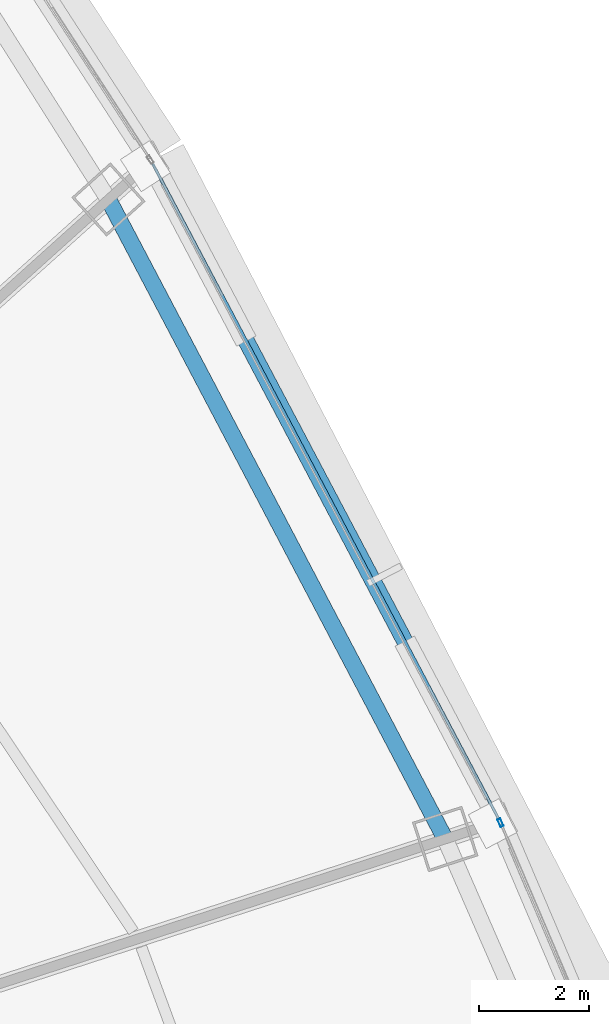
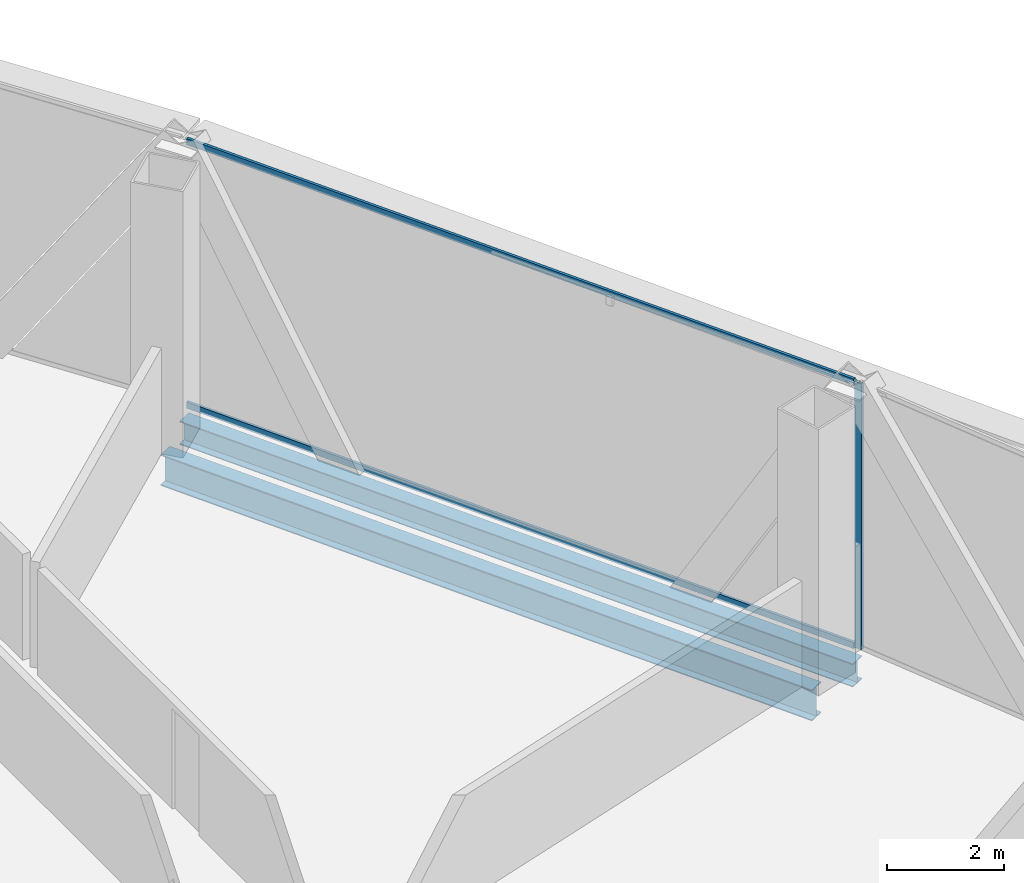
# One storey, part 28 of 40: 3 members, 2 beams, 2 elements without a shape of their own.
"""IFC4 building model written with IfcOpenShell, lengths in metres."""

from ifc_helpers import new_model, si_unit, direction, frame, origin, origin_2d, place, context, subcontext, project, spatial, hollow_rectangle, i_section, extrude, source, transform, mapped, material, layer, layer_set, material_profile, profile_set, type_object, element, aggregate, save


model = new_model("IFC4")

# Units and contexts
model_context = context("Model", 3, precision=1e-05, world=origin(), true_north=direction((0.0, 1.0)))
body_context = subcontext(model_context, "Body", "Model", "MODEL_VIEW")
ifc_project = project(units=[si_unit("LENGTHUNIT", "METRE"), si_unit("AREAUNIT", "SQUARE_METRE"), si_unit("VOLUMEUNIT", "CUBIC_METRE"), si_unit("PLANEANGLEUNIT", "RADIAN"), si_unit("MASSUNIT", "GRAM", prefix="KILO"), si_unit("THERMODYNAMICTEMPERATUREUNIT", "KELVIN"), si_unit("POWERUNIT", "WATT")], contexts=[model_context])

# Site, building, storey
site_placement = place(None, origin())
site = spatial("IfcSite", under=ifc_project, at=site_placement, CompositionType="ELEMENT")
building_placement = place(site_placement, origin())
building = spatial("IfcBuilding", under=site, at=building_placement, Name="Yunzhuo Pagoda Commons", CompositionType="ELEMENT")
storey_placement = place(building_placement, frame((0.0, 0.0, 170.31005859375)))
storey = spatial("IfcBuildingStorey", under=building, at=storey_placement, Name="L43", CompositionType="ELEMENT", Elevation=170.31005859375)

# Beams
ifc_material_1 = material(Name="Structural steel Q355B", Category="steel")
ifc_material_profile_1 = material_profile(ifc_material_1, i_section(OverallWidth=0.300048828125, OverallDepth=0.64990234375, WebThickness=0.012939453125, FlangeThickness=0.02197265625, at=origin_2d()), Name="Structural steel Q355B")
ifc_profile_set_1 = profile_set([ifc_material_profile_1], Name="Structural steel Q355B")
beam_type_1 = type_object("IfcBeamType", Name="B-RG2 Beam HN 650x300x13x22", PredefinedType="BEAM", material=ifc_profile_set_1)
shared_shape_1 = source(origin(), body_context, "Body", "SweptSolid", [
    extrude(i_section(OverallWidth=0.300048828125, OverallDepth=0.64990234375, WebThickness=0.012939453125, FlangeThickness=0.02197265625, at=origin_2d()), origin(), (0.0, 0.0, 1.0), 13.198974609375),
])
beam_1_placement = place(storey_placement, frame((77.915283203125, 43.420166015625, -0.5849609375), z_axis=(-0.465885937554, 0.884844784801, 0.0), x_axis=(-0.884844784801, -0.465885937554, 0.0)))
element("IfcBeam", 1, at=beam_1_placement, inside=storey, type_object=beam_type_1, Name="L43 column-ring beam 6", PredefinedType="BEAM", context=body_context, shape_type="MappedRepresentation", body=[
    mapped(shared_shape_1, transform((0.0, 0.0, 0.0), scale=1.0)),
])
ifc_material_profile_2 = material_profile(ifc_material_1, i_section(OverallWidth=0.300048828125, OverallDepth=0.488037109375, WebThickness=0.010986328125, FlangeThickness=0.01806640625, at=origin_2d()), Name="Structural steel Q355B")
ifc_profile_set_2 = profile_set([ifc_material_profile_2], Name="Structural steel Q355B")
beam_type_2 = type_object("IfcBeamType", Name="B-SP1 Beam HM 488x300x11x18", PredefinedType="BEAM", material=ifc_profile_set_2)
shared_shape_2 = source(origin(), body_context, "Body", "SweptSolid", [
    extrude(i_section(OverallWidth=0.300048828125, OverallDepth=0.488037109375, WebThickness=0.010986328125, FlangeThickness=0.01806640625, at=origin_2d()), origin(), (0.0, 0.0, 1.0), 13.63525390625),
])
beam_2_placement = place(storey_placement, frame((78.913818359375, 43.74462890625, -0.504150390625), z_axis=(-0.466985007002, 0.884265233533, 0.0), x_axis=(-0.884265233533, -0.466985007002, 0.0)))
element("IfcBeam", 2, at=beam_2_placement, inside=storey, type_object=beam_type_2, Name="L43 facade edge spandrel beam F2.2", PredefinedType="BEAM", context=body_context, shape_type="MappedRepresentation", body=[
    mapped(shared_shape_2, transform((0.0, 0.0, 0.0), scale=1.0)),
])

# Curtain wall, members
ifc_material_2 = material(Name="Anodized aluminium 6063-T6", Category="aluminium")
ifc_layer = layer(ifc_material_2, 0.14990234375)
ifc_layer_set = layer_set([ifc_layer], Name="Anodized aluminium 6063-T6")
curtain_wall_type = type_object("IfcCurtainWallType", Name="CW-MID Mid-Zone Ribbon Curtain Wall", PredefinedType="NOTDEFINED", material=ifc_layer_set)
curtain_wall_1_placement = place(storey_placement, origin())
curtain_wall_1 = element("IfcCurtainWall", 3, at=curtain_wall_1_placement, inside=storey, type_object=curtain_wall_type, Name="L43 curtain wall CW-L43-F2B3", PredefinedType="NOTDEFINED")
ifc_material_profile_3 = material_profile(ifc_material_2, hollow_rectangle(XDim=0.054931640625, YDim=0.1298828125, WallThickness=0.00341796875, at=origin_2d()), Name="Anodized aluminium 6063-T6")
ifc_profile_set_3 = profile_set([ifc_material_profile_3], Name="Anodized aluminium 6063-T6")
member_type_1 = type_object("IfcMemberType", Name="CW-MID-T Transom RHS 130x55x3.5", PredefinedType="USERDEFINED", material=ifc_profile_set_3)
shared_shape_3 = source(origin(), body_context, "Body", "SweptSolid", [
    extrude(hollow_rectangle(XDim=0.054931640625, YDim=0.1298828125, WallThickness=0.00341796875, at=origin_2d()), origin(), (0.0, 0.0, 1.0), 13.51513671875),
])
member_1_placement = place(storey_placement, frame((78.885986328125, 43.797607421875, 0.02734375), z_axis=(-0.466995257816, 0.88425981995, 0.0), x_axis=(-0.88425981995, -0.466995257816, 0.0)))
member_1 = element("IfcMember", 4, at=member_1_placement, type_object=member_type_1, Name="CW transom 1.1", ObjectType="TRANSOM", PredefinedType="USERDEFINED", context=body_context, shape_type="MappedRepresentation", body=[
    mapped(shared_shape_3, transform((0.0, 0.0, 0.0), scale=1.0)),
])
member_2_placement = place(storey_placement, frame((78.885986328125, 43.797607421875, 5.54248046875), z_axis=(-0.466995257816, 0.88425981995, 0.0), x_axis=(-0.88425981995, -0.466995257816, 0.0)))
member_2 = element("IfcMember", 5, at=member_2_placement, type_object=member_type_1, Name="CW transom 1.2", ObjectType="TRANSOM", PredefinedType="USERDEFINED", context=body_context, shape_type="MappedRepresentation", body=[
    mapped(shared_shape_3, transform((0.0, 0.0, 0.0), scale=1.0)),
])
aggregate(curtain_wall_1, [member_1, member_2])

# Curtain wall, member
curtain_wall_2_placement = place(storey_placement, origin())
curtain_wall_2 = element("IfcCurtainWall", 6, at=curtain_wall_2_placement, inside=storey, type_object=curtain_wall_type, Name="L43 curtain wall CW-L43-F2B2", PredefinedType="NOTDEFINED")
ifc_material_profile_4 = material_profile(ifc_material_2, hollow_rectangle(XDim=0.06005859375, YDim=0.14990234375, WallThickness=0.00390625, at=origin_2d()), Name="Anodized aluminium 6063-T6")
ifc_profile_set_4 = profile_set([ifc_material_profile_4], Name="Anodized aluminium 6063-T6")
member_type_2 = type_object("IfcMemberType", Name="CW-MID-M Mullion RHS 150x60x4", PredefinedType="MULLION", material=ifc_profile_set_4)
shared_shape_4 = source(origin(), body_context, "Body", "SweptSolid", [
    extrude(hollow_rectangle(XDim=0.06005859375, YDim=0.14990234375, WallThickness=0.00390625, at=origin_2d()), origin(), (0.0, 0.0, 1.0), 5.56982421875),
])
member_3_placement = place(storey_placement, frame((78.925537109375, 43.717041015625, 0.0), z_axis=(0.0, 0.0, 1.0), x_axis=(-0.920363798122, -0.391063267395, 0.0)))
member_3 = element("IfcMember", 7, at=member_3_placement, type_object=member_type_2, Name="CW mullion 2", PredefinedType="MULLION", context=body_context, shape_type="MappedRepresentation", body=[
    mapped(shared_shape_4, transform((0.0, 0.0, 0.0), scale=1.0)),
])
aggregate(curtain_wall_2, [member_3])

save(model, "model.ifc")
